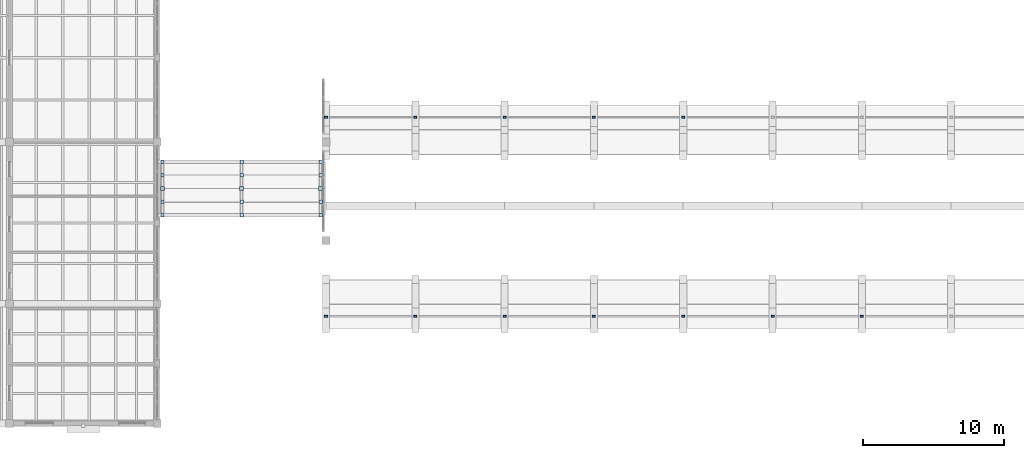
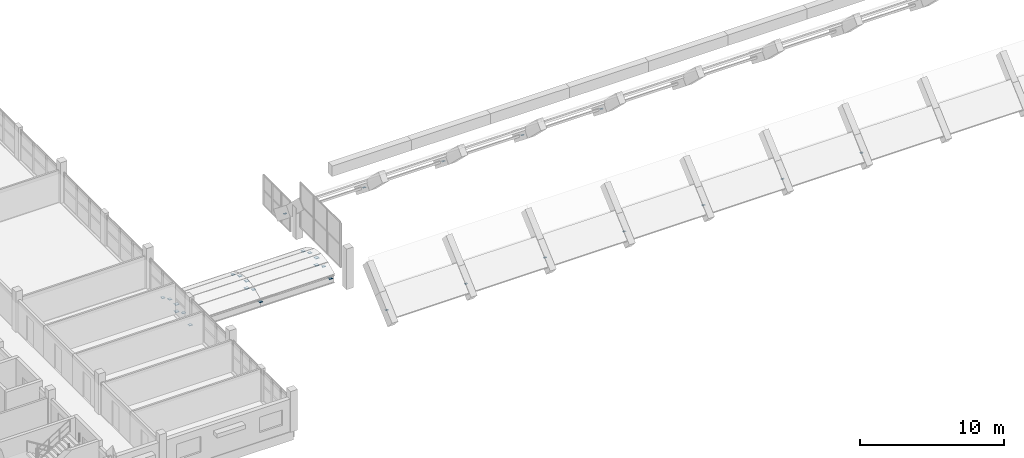
# One storey, part 30 of 48: 30 plates.
"""IFC4 building model written with IfcOpenShell, lengths in metres."""

from ifc_helpers import new_model, si_unit, direction, frame, origin, origin_2d, place, context, subcontext, project, spatial, rectangle, extrude, material, layer, layer_set, type_object, element, save


model = new_model("IFC4")

# Units and contexts
model_context = context("Model", 3, precision=1e-05, world=origin(), true_north=direction((0.0, 1.0)))
body_context = subcontext(model_context, "Body", "Model", "MODEL_VIEW")
ifc_project = project(units=[si_unit("LENGTHUNIT", "METRE"), si_unit("AREAUNIT", "SQUARE_METRE"), si_unit("VOLUMEUNIT", "CUBIC_METRE"), si_unit("PLANEANGLEUNIT", "RADIAN"), si_unit("MASSUNIT", "GRAM", prefix="KILO")], contexts=[model_context])

# Site, building, storey
site_placement = place(None, origin())
site = spatial("IfcSite", under=ifc_project, at=site_placement, CompositionType="ELEMENT")
building_placement = place(site_placement, origin())
building = spatial("IfcBuilding", under=site, at=building_placement, Name="Trellovar Central Fire Station", CompositionType="ELEMENT")
storey_placement = place(building_placement, frame((0.0, 0.0, 9.300048828125)))
storey = spatial("IfcBuildingStorey", under=building, at=storey_placement, Name="L03", CompositionType="ELEMENT", Elevation=9.300048828125)

# Plates
ifc_material_1 = material(Name="Steel ASTM A36", Category="steel")
ifc_layer_1 = layer(ifc_material_1, 0.02001953125)
ifc_layer_set_1 = layer_set([ifc_layer_1], Name="Steel ASTM A36")
plate_type_1 = type_object("IfcPlateType", Name="PLT-EP2", PredefinedType="SHEET", material=ifc_layer_set_1)
for number, where, z_axis, x_axis, name in (
    (1, (23.3798828125, 25.699951171875, -0.260009765625), (0.0, 0.0, 1.0), (1.0, 0.0, 0.0), "HSS end-cap plate 611"),
    (2, (23.3798828125, 25.699951171875, 0.35986328125), (0.0, 0.0, 1.0), (1.0, 0.0, 0.0), "HSS end-cap plate 612"),
    (3, (29.0, 25.699951171875, -0.260009765625), (0.0, 0.0, 1.0), (1.0, 0.0, 0.0), "HSS end-cap plate 617"),
    (4, (29.0, 25.699951171875, 0.35986328125), (0.0, 0.0, 1.0), (1.0, 0.0, 0.0), "HSS end-cap plate 618"),
    (5, (34.6201171875, 25.699951171875, -0.260009765625), (0.0, 0.0, 1.0), (1.0, 0.0, 0.0), "HSS end-cap plate 623"),
    (6, (34.6201171875, 25.699951171875, 0.35986328125), (0.0, 0.0, 1.0), (1.0, 0.0, 0.0), "HSS end-cap plate 624"),
):
    element("IfcPlate", number, at=place(storey_placement, frame(where, z_axis=z_axis, x_axis=x_axis)), inside=storey, type_object=plate_type_1, Name=name, PredefinedType="SHEET", context=body_context, shape_type="SweptSolid", body=[
        extrude(rectangle(XDim=0.280029296875, YDim=0.280029296875, at=origin_2d()), origin(), (0.0, 0.0, 1.0), 0.02001953125),
    ])
ifc_material_2 = material(Name="Steel ASTM A36", Category="steel")
ifc_layer_2 = layer(ifc_material_2, 0.01806640625)
ifc_layer_set_2 = layer_set([ifc_layer_2], Name="Steel ASTM A36")
plate_type_2 = type_object("IfcPlateType", Name="PLT-EP3", PredefinedType="SHEET", material=ifc_layer_set_2)
for number, where, z_axis, x_axis, name in (
    (7, (23.3798828125, 23.800048828125, -0.239013671875), (0.0, 0.0, 1.0), (1.0, 0.0, 0.0), "HSS end-cap plate 613"),
    (8, (23.3798828125, 24.75, 0.2109375), (0.0, 0.0, 1.0), (1.0, 0.0, 0.0), "HSS end-cap plate 614"),
    (9, (23.3798828125, 26.64990234375, 0.2109375), (0.0, 0.0, 1.0), (1.0, 0.0, 0.0), "HSS end-cap plate 615"),
    (10, (23.3798828125, 27.60009765625, -0.239013671875), (0.0, 0.0, 1.0), (1.0, 0.0, 0.0), "HSS end-cap plate 616"),
    (11, (29.0, 23.800048828125, -0.239013671875), (0.0, 0.0, 1.0), (1.0, 0.0, 0.0), "HSS end-cap plate 619"),
    (12, (29.0, 24.75, 0.2109375), (0.0, 0.0, 1.0), (1.0, 0.0, 0.0), "HSS end-cap plate 620"),
    (13, (29.0, 26.64990234375, 0.2109375), (0.0, 0.0, 1.0), (1.0, 0.0, 0.0), "HSS end-cap plate 621"),
    (14, (29.0, 27.60009765625, -0.239013671875), (0.0, 0.0, 1.0), (1.0, 0.0, 0.0), "HSS end-cap plate 622"),
    (15, (34.6201171875, 23.800048828125, -0.239013671875), (0.0, 0.0, 1.0), (1.0, 0.0, 0.0), "HSS end-cap plate 625"),
    (16, (34.6201171875, 24.75, 0.2109375), (0.0, 0.0, 1.0), (1.0, 0.0, 0.0), "HSS end-cap plate 626"),
    (17, (34.6201171875, 26.64990234375, 0.2109375), (0.0, 0.0, 1.0), (1.0, 0.0, 0.0), "HSS end-cap plate 627"),
    (18, (34.6201171875, 27.60009765625, -0.239013671875), (0.0, 0.0, 1.0), (1.0, 0.0, 0.0), "HSS end-cap plate 628"),
):
    element("IfcPlate", number, at=place(storey_placement, frame(where, z_axis=z_axis, x_axis=x_axis)), inside=storey, type_object=plate_type_2, Name=name, PredefinedType="SHEET", context=body_context, shape_type="SweptSolid", body=[
        extrude(rectangle(XDim=0.239990234375, YDim=0.239990234375, at=origin_2d()), origin(), (0.0, 0.0, 1.0), 0.01806640625),
    ])
ifc_material_3 = material(Name="Steel ASTM A36", Category="steel")
ifc_layer_3 = layer(ifc_material_3, 0.01611328125)
ifc_layer_set_3 = layer_set([ifc_layer_3], Name="Steel ASTM A36")
plate_type_3 = type_object("IfcPlateType", Name="PLT-EP4", PredefinedType="SHEET", material=ifc_layer_set_3)
for number, where, z_axis, x_axis, name in (
    (19, (35.0, 16.6201171875, 1.302001953125), (0.0, 0.0, 1.0), (1.0, 0.0, 0.0), "HSS end-cap plate 199"),
    (20, (41.35009765625, 16.6201171875, 1.302001953125), (0.0, 0.0, 1.0), (1.0, 0.0, 0.0), "HSS end-cap plate 200"),
    (21, (35.0, 30.756591796875, 0.90576171875), (0.0, 0.0, 1.0), (1.0, 0.0, 0.0), "HSS end-cap plate 211"),
    (22, (41.35009765625, 30.756591796875, 0.90576171875), (0.0, 0.0, 1.0), (1.0, 0.0, 0.0), "HSS end-cap plate 212"),
    (23, (47.699951171875, 16.6201171875, 1.302001953125), (0.0, 0.0, 1.0), (1.0, 0.0, 0.0), "HSS end-cap plate 223"),
    (24, (47.699951171875, 30.756591796875, 0.90576171875), (0.0, 0.0, 1.0), (1.0, 0.0, 0.0), "HSS end-cap plate 227"),
    (25, (54.050048828125, 16.6201171875, 1.302001953125), (0.0, 0.0, 1.0), (1.0, 0.0, 0.0), "HSS end-cap plate 232"),
    (26, (54.050048828125, 30.756591796875, 0.90576171875), (0.0, 0.0, 1.0), (1.0, 0.0, 0.0), "HSS end-cap plate 236"),
    (27, (60.39990234375, 16.6201171875, 1.302001953125), (0.0, 0.0, 1.0), (1.0, 0.0, 0.0), "HSS end-cap plate 241"),
    (28, (60.39990234375, 30.756591796875, 0.90576171875), (0.0, 0.0, 1.0), (1.0, 0.0, 0.0), "HSS end-cap plate 245"),
    (29, (66.75, 16.6201171875, 1.302001953125), (0.0, 0.0, 1.0), (1.0, 0.0, 0.0), "HSS end-cap plate 250"),
    (30, (73.10009765625, 16.6201171875, 1.302001953125), (0.0, 0.0, 1.0), (1.0, 0.0, 0.0), "HSS end-cap plate 265"),
):
    element("IfcPlate", number, at=place(storey_placement, frame(where, z_axis=z_axis, x_axis=x_axis)), inside=storey, type_object=plate_type_3, Name=name, PredefinedType="SHEET", context=body_context, shape_type="SweptSolid", body=[
        extrude(rectangle(XDim=0.219970703125, YDim=0.139892578125, at=origin_2d()), origin(), (0.0, 0.0, 1.0), 0.01611328125),
    ])

save(model, "model.ifc")
